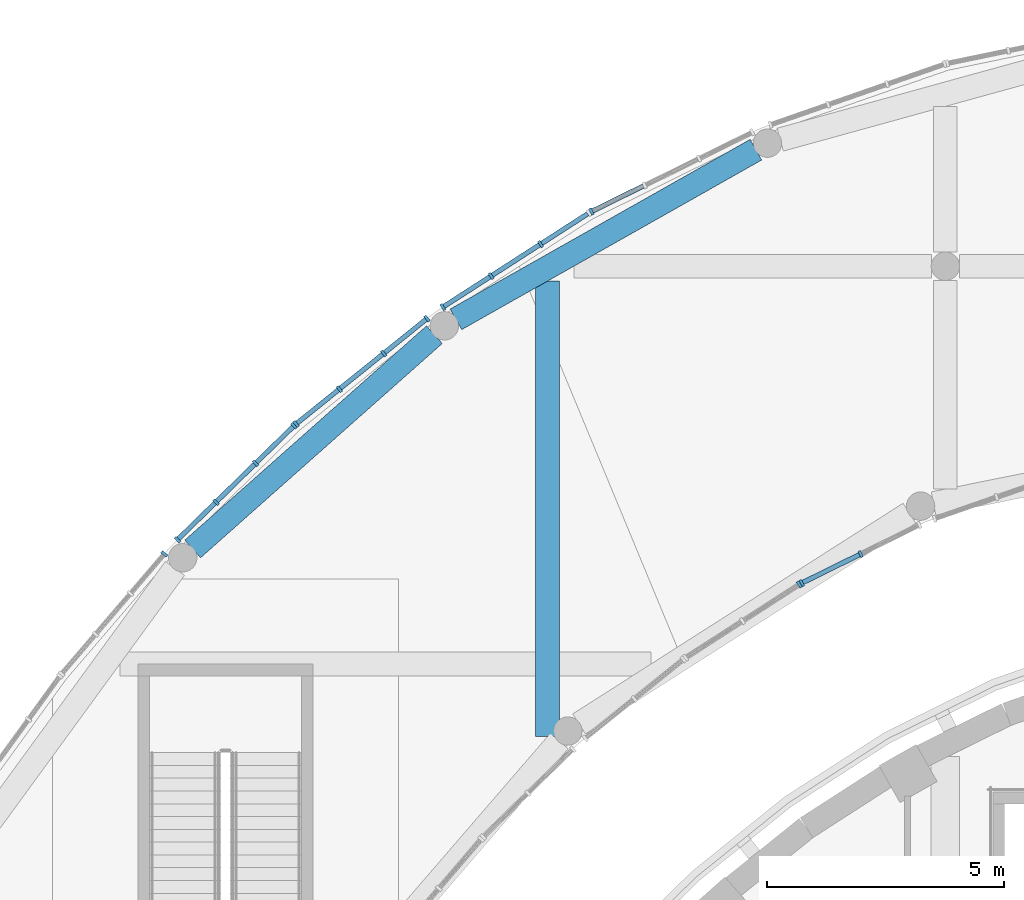
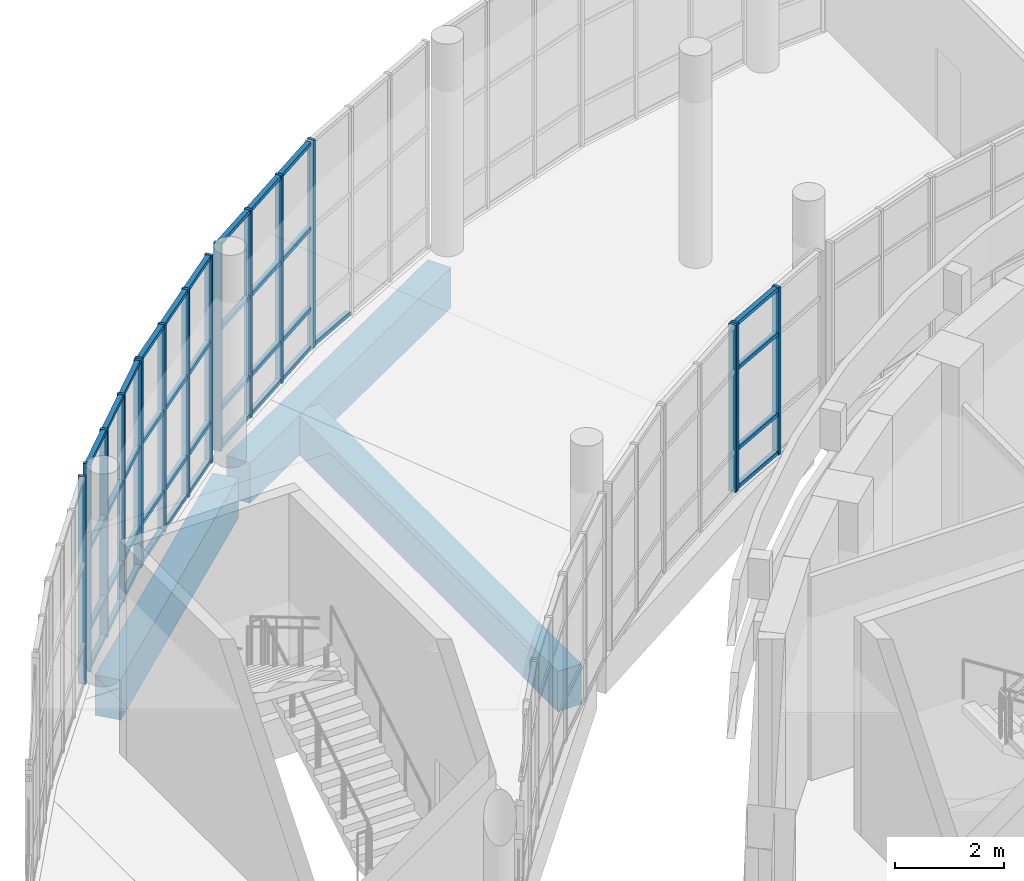
# One storey, part 26 of 119: 57 members, 3 beams, 7 elements without a shape of their own.
"""IFC4 building model written with IfcOpenShell, lengths in metres."""

from ifc_helpers import new_model, si_unit, direction, frame, origin, origin_2d, place, context, subcontext, project, spatial, rectangle, extrude, material, layer, layer_set, material_profile, profile_set, type_object, element, aggregate, save


model = new_model("IFC4")

# Units and contexts
model_context = context("Model", 3, precision=1e-05, world=origin(), true_north=direction((0.0, 1.0)))
body_context = subcontext(model_context, "Body", "Model", "MODEL_VIEW")
ifc_project = project(units=[si_unit("LENGTHUNIT", "METRE"), si_unit("AREAUNIT", "SQUARE_METRE"), si_unit("VOLUMEUNIT", "CUBIC_METRE"), si_unit("PLANEANGLEUNIT", "RADIAN"), si_unit("MASSUNIT", "GRAM", prefix="KILO")], contexts=[model_context])

# Site, building, storey
site_placement = place(None, origin())
site = spatial("IfcSite", under=ifc_project, at=site_placement, CompositionType="ELEMENT")
building_placement = place(site_placement, origin())
building = spatial("IfcBuilding", under=site, at=building_placement, Name="Larchfold Concert Hall", CompositionType="ELEMENT")
storey_placement = place(building_placement, frame((0.0, 0.0, 4.800048828125)))
storey = spatial("IfcBuildingStorey", under=building, at=storey_placement, Name="L01", CompositionType="ELEMENT", Elevation=4.800048828125)

# Curtain wall, member
ifc_material_1 = material(Name="Anodised graphite aluminium curtain wall", Category="aluminium")
ifc_layer = layer(ifc_material_1, 0.14990234375)
ifc_layer_set = layer_set([ifc_layer], Name="Anodised graphite aluminium curtain wall")
curtain_wall_type = type_object("IfcCurtainWallType", Name="Curtain wall WG", PredefinedType="NOTDEFINED", material=ifc_layer_set)
curtain_wall_1_placement = place(storey_placement, origin())
curtain_wall_1 = element("IfcCurtainWall", 1, at=curtain_wall_1_placement, inside=storey, type_object=curtain_wall_type, Name="Curtain wall CW0161", PredefinedType="NOTDEFINED")
ifc_material_2 = material(Name="Anodised graphite aluminium mullion", Category="aluminium")
ifc_material_profile_1 = material_profile(ifc_material_2, rectangle(XDim=0.14990234375, YDim=0.06005859375, at=origin_2d()))
ifc_profile_set_1 = profile_set([ifc_material_profile_1], Name="Anodised graphite aluminium mullion")
member_type_1 = type_object("IfcMemberType", Name="Aluminium mullion 60x150", PredefinedType="MULLION", material=ifc_profile_set_1)
member_1_placement = place(storey_placement, frame((31.115478515625, 119.881103515625, 0.0), z_axis=(0.0, 0.0, 1.0), x_axis=(-0.541844610619, 0.840478683813, 0.0)))
member_1 = element("IfcMember", 2, at=member_1_placement, type_object=member_type_1, Name="CW0161 mullion 3", PredefinedType="MULLION", context=body_context, shape_type="SweptSolid", body=[
    extrude(rectangle(XDim=0.14990234375, YDim=0.06005859375, at=origin_2d()), origin(), (0.0, 0.0, 1.0), 3.75),
])
aggregate(curtain_wall_1, [member_1])

# Curtain wall, members
curtain_wall_2_placement = place(storey_placement, origin())
curtain_wall_2 = element("IfcCurtainWall", 3, at=curtain_wall_2_placement, inside=storey, type_object=curtain_wall_type, Name="Curtain wall CW0162", PredefinedType="NOTDEFINED")
member_2_placement = place(storey_placement, frame((31.16748046875, 119.91064453125, 0.0), z_axis=(0.0, 0.0, 1.0), x_axis=(-0.442304846598, 0.896864773907, 0.0)))
member_2 = element("IfcMember", 4, at=member_2_placement, type_object=member_type_1, Name="CW0162 mullion 1", PredefinedType="MULLION", context=body_context, shape_type="SweptSolid", body=[
    extrude(rectangle(XDim=0.14990234375, YDim=0.06005859375, at=origin_2d()), origin(), (0.0, 0.0, 1.0), 3.75),
])
member_3_placement = place(storey_placement, frame((32.4091796875, 120.52294921875, 0.0), z_axis=(0.0, 0.0, 1.0), x_axis=(-0.442304846598, 0.896864773907, 0.0)))
member_3 = element("IfcMember", 5, at=member_3_placement, type_object=member_type_1, Name="CW0162 mullion 2", PredefinedType="MULLION", context=body_context, shape_type="SweptSolid", body=[
    extrude(rectangle(XDim=0.14990234375, YDim=0.06005859375, at=origin_2d()), origin(), (0.0, 0.0, 1.0), 3.75),
])

# Curtain wall, member
curtain_wall_3_placement = place(storey_placement, origin())
curtain_wall_3 = element("IfcCurtainWall", 6, at=curtain_wall_3_placement, inside=storey, type_object=curtain_wall_type, Name="Curtain wall CW0180", PredefinedType="NOTDEFINED")
member_4_placement = place(storey_placement, frame((26.724365234375, 127.754150390625, 0.0), z_axis=(0.0, 0.0, 1.0), x_axis=(0.44238339909, -0.896826030069, 0.0)))
member_4 = element("IfcMember", 7, at=member_4_placement, type_object=member_type_1, Name="CW0180 mullion 4", PredefinedType="MULLION", context=body_context, shape_type="SweptSolid", body=[
    extrude(rectangle(XDim=0.14990234375, YDim=0.06005859375, at=origin_2d()), origin(), (0.0, 0.0, 1.0), 4.64990234375),
])

# Curtain wall, members
curtain_wall_4_placement = place(storey_placement, origin())
curtain_wall_4 = element("IfcCurtainWall", 8, at=curtain_wall_4_placement, inside=storey, type_object=curtain_wall_type, Name="Curtain wall CW0181", PredefinedType="NOTDEFINED")
member_5_placement = place(storey_placement, frame((25.652587890625, 127.0673828125, 0.0), z_axis=(0.0, 0.0, 1.0), x_axis=(0.541763002722, -0.840531289651, 0.0)))
member_5 = element("IfcMember", 9, at=member_5_placement, type_object=member_type_1, Name="CW0181 mullion 2", PredefinedType="MULLION", context=body_context, shape_type="SweptSolid", body=[
    extrude(rectangle(XDim=0.14990234375, YDim=0.06005859375, at=origin_2d()), origin(), (0.0, 0.0, 1.0), 4.64990234375),
])
member_6_placement = place(storey_placement, frame((24.607666015625, 126.39404296875, 0.0), z_axis=(0.0, 0.0, 1.0), x_axis=(0.541763002722, -0.840531289651, 0.0)))
member_6 = element("IfcMember", 10, at=member_6_placement, type_object=member_type_1, Name="CW0181 mullion 3", PredefinedType="MULLION", context=body_context, shape_type="SweptSolid", body=[
    extrude(rectangle(XDim=0.14990234375, YDim=0.06005859375, at=origin_2d()), origin(), (0.0, 0.0, 1.0), 4.64990234375),
])
member_7_placement = place(storey_placement, frame((23.587890625, 125.73681640625, 0.0), z_axis=(0.0, 0.0, 1.0), x_axis=(0.541763002722, -0.840531289651, 0.0)))
member_7 = element("IfcMember", 11, at=member_7_placement, type_object=member_type_1, Name="CW0181 mullion 4", PredefinedType="MULLION", context=body_context, shape_type="SweptSolid", body=[
    extrude(rectangle(XDim=0.14990234375, YDim=0.06005859375, at=origin_2d()), origin(), (0.0, 0.0, 1.0), 4.64990234375),
])

curtain_wall_5_placement = place(storey_placement, origin())
curtain_wall_5 = element("IfcCurtainWall", 12, at=curtain_wall_5_placement, inside=storey, type_object=curtain_wall_type, Name="Curtain wall CW0182", PredefinedType="NOTDEFINED")
member_8_placement = place(storey_placement, frame((23.254150390625, 125.49560546875, 0.0), z_axis=(0.0, 0.0, 1.0), x_axis=(0.626986369334, -0.779030225774, 0.0)))
member_8 = element("IfcMember", 13, at=member_8_placement, type_object=member_type_1, Name="CW0182 mullion 1", PredefinedType="MULLION", context=body_context, shape_type="SweptSolid", body=[
    extrude(rectangle(XDim=0.14990234375, YDim=0.06005859375, at=origin_2d()), origin(), (0.0, 0.0, 1.0), 4.64990234375),
])
member_9_placement = place(storey_placement, frame((22.340576171875, 124.76025390625, 0.0), z_axis=(0.0, 0.0, 1.0), x_axis=(0.626986369334, -0.779030225774, 0.0)))
member_9 = element("IfcMember", 14, at=member_9_placement, type_object=member_type_1, Name="CW0182 mullion 2", PredefinedType="MULLION", context=body_context, shape_type="SweptSolid", body=[
    extrude(rectangle(XDim=0.14990234375, YDim=0.06005859375, at=origin_2d()), origin(), (0.0, 0.0, 1.0), 4.64990234375),
])
member_10_placement = place(storey_placement, frame((21.40380859375, 124.00634765625, 0.0), z_axis=(0.0, 0.0, 1.0), x_axis=(0.626986369334, -0.779030225774, 0.0)))
member_10 = element("IfcMember", 15, at=member_10_placement, type_object=member_type_1, Name="CW0182 mullion 3", PredefinedType="MULLION", context=body_context, shape_type="SweptSolid", body=[
    extrude(rectangle(XDim=0.14990234375, YDim=0.06005859375, at=origin_2d()), origin(), (0.0, 0.0, 1.0), 4.64990234375),
])
member_11_placement = place(storey_placement, frame((20.490234375, 123.27099609375, 0.0), z_axis=(0.0, 0.0, 1.0), x_axis=(0.626986369334, -0.779030225774, 0.0)))
member_11 = element("IfcMember", 16, at=member_11_placement, type_object=member_type_1, Name="CW0182 mullion 4", PredefinedType="MULLION", context=body_context, shape_type="SweptSolid", body=[
    extrude(rectangle(XDim=0.14990234375, YDim=0.06005859375, at=origin_2d()), origin(), (0.0, 0.0, 1.0), 4.64990234375),
])

curtain_wall_6_placement = place(storey_placement, origin())
curtain_wall_6 = element("IfcCurtainWall", 17, at=curtain_wall_6_placement, inside=storey, type_object=curtain_wall_type, Name="Curtain wall CW0183", PredefinedType="NOTDEFINED")
member_12_placement = place(storey_placement, frame((20.4453125, 123.231201171875, 0.0), z_axis=(0.0, 0.0, 1.0), x_axis=(0.699178664074, -0.714946988038, 0.0)))
member_12 = element("IfcMember", 18, at=member_12_placement, type_object=member_type_1, Name="CW0183 mullion 1", PredefinedType="MULLION", context=body_context, shape_type="SweptSolid", body=[
    extrude(rectangle(XDim=0.14990234375, YDim=0.06005859375, at=origin_2d()), origin(), (0.0, 0.0, 1.0), 4.64990234375),
])
member_13_placement = place(storey_placement, frame((19.6328125, 122.436767578125, 0.0), z_axis=(0.0, 0.0, 1.0), x_axis=(0.699178664074, -0.714946988038, 0.0)))
member_13 = element("IfcMember", 19, at=member_13_placement, type_object=member_type_1, Name="CW0183 mullion 2", PredefinedType="MULLION", context=body_context, shape_type="SweptSolid", body=[
    extrude(rectangle(XDim=0.14990234375, YDim=0.06005859375, at=origin_2d()), origin(), (0.0, 0.0, 1.0), 4.64990234375),
])
member_14_placement = place(storey_placement, frame((18.799072265625, 121.62109375, 0.0), z_axis=(0.0, 0.0, 1.0), x_axis=(0.699178664074, -0.714946988038, 0.0)))
member_14 = element("IfcMember", 20, at=member_14_placement, type_object=member_type_1, Name="CW0183 mullion 3", PredefinedType="MULLION", context=body_context, shape_type="SweptSolid", body=[
    extrude(rectangle(XDim=0.14990234375, YDim=0.06005859375, at=origin_2d()), origin(), (0.0, 0.0, 1.0), 4.64990234375),
])
member_15_placement = place(storey_placement, frame((17.986572265625, 120.82666015625, 0.0), z_axis=(0.0, 0.0, 1.0), x_axis=(0.699178664074, -0.714946988038, 0.0)))
member_15 = element("IfcMember", 21, at=member_15_placement, type_object=member_type_1, Name="CW0183 mullion 4", PredefinedType="MULLION", context=body_context, shape_type="SweptSolid", body=[
    extrude(rectangle(XDim=0.14990234375, YDim=0.06005859375, at=origin_2d()), origin(), (0.0, 0.0, 1.0), 4.64990234375),
])

# Curtain wall, member
curtain_wall_7_placement = place(storey_placement, origin())
curtain_wall_7 = element("IfcCurtainWall", 22, at=curtain_wall_7_placement, inside=storey, type_object=curtain_wall_type, Name="Curtain wall CW0184", PredefinedType="NOTDEFINED")
member_16_placement = place(storey_placement, frame((17.70556640625, 120.5263671875, 0.0), z_axis=(0.0, 0.0, 1.0), x_axis=(0.759444508199, -0.650572085911, 0.0)))
member_16 = element("IfcMember", 23, at=member_16_placement, type_object=member_type_1, Name="CW0184 mullion 1", PredefinedType="MULLION", context=body_context, shape_type="SweptSolid", body=[
    extrude(rectangle(XDim=0.14990234375, YDim=0.06005859375, at=origin_2d()), origin(), (0.0, 0.0, 1.0), 4.64990234375),
])
aggregate(curtain_wall_7, [member_16])

# Member
ifc_material_3 = material(Name="Anodised graphite aluminium transom", Category="aluminium")
ifc_material_profile_2 = material_profile(ifc_material_3, rectangle(XDim=0.10009765625, YDim=0.080078125, at=origin_2d()))
ifc_profile_set_2 = profile_set([ifc_material_profile_2], Name="Anodised graphite aluminium transom")
member_type_2 = type_object("IfcMemberType", Name="Aluminium transom 80x100", PredefinedType="USERDEFINED", material=ifc_profile_set_2)
member_17_placement = place(storey_placement, frame((31.1943359375, 119.924072265625, 0.0400390625), z_axis=(0.896919943894, 0.44219296042, 0.0), x_axis=(-0.44219296042, 0.896919943894, 0.0)))
member_17 = element("IfcMember", 24, at=member_17_placement, type_object=member_type_2, Name="CW0162 transom 1.1", ObjectType="TRANSOM", PredefinedType="USERDEFINED", context=body_context, shape_type="SweptSolid", body=[
    extrude(rectangle(XDim=0.10009765625, YDim=0.080078125, at=origin_2d()), origin(), (0.0, 0.0, 1.0), 1.324462890625),
])

member_18_placement = place(storey_placement, frame((31.1943359375, 119.924072265625, 0.89990234375), z_axis=(0.896919943894, 0.44219296042, 0.0), x_axis=(-0.44219296042, 0.896919943894, 0.0)))
member_18 = element("IfcMember", 25, at=member_18_placement, type_object=member_type_2, Name="CW0162 transom 1.2", ObjectType="TRANSOM", PredefinedType="USERDEFINED", context=body_context, shape_type="SweptSolid", body=[
    extrude(rectangle(XDim=0.10009765625, YDim=0.080078125, at=origin_2d()), origin(), (0.0, 0.0, 1.0), 1.324462890625),
])

member_19_placement = place(storey_placement, frame((31.1943359375, 119.924072265625, 2.699951171875), z_axis=(0.896919943894, 0.44219296042, 0.0), x_axis=(-0.44219296042, 0.896919943894, 0.0)))
member_19 = element("IfcMember", 26, at=member_19_placement, type_object=member_type_2, Name="CW0162 transom 1.3", ObjectType="TRANSOM", PredefinedType="USERDEFINED", context=body_context, shape_type="SweptSolid", body=[
    extrude(rectangle(XDim=0.10009765625, YDim=0.080078125, at=origin_2d()), origin(), (0.0, 0.0, 1.0), 1.324462890625),
])

member_20_placement = place(storey_placement, frame((31.1943359375, 119.924072265625, 3.7099609375), z_axis=(0.896919943894, 0.44219296042, 0.0), x_axis=(-0.44219296042, 0.896919943894, 0.0)))
member_20 = element("IfcMember", 27, at=member_20_placement, type_object=member_type_2, Name="CW0162 transom 1.4", ObjectType="TRANSOM", PredefinedType="USERDEFINED", context=body_context, shape_type="SweptSolid", body=[
    extrude(rectangle(XDim=0.10009765625, YDim=0.080078125, at=origin_2d()), origin(), (0.0, 0.0, 1.0), 1.324462890625),
])

aggregate(curtain_wall_2, [member_2, member_3, member_17, member_18, member_19, member_20])

member_21_placement = place(storey_placement, frame((27.820556640625, 128.294921875, 0.0400390625), z_axis=(-0.896870870578, -0.44229248412, 0.0), x_axis=(0.44229248412, -0.896870870578, 0.0)))
member_21 = element("IfcMember", 28, at=member_21_placement, type_object=member_type_2, Name="CW0180 transom 3.1", ObjectType="TRANSOM", PredefinedType="USERDEFINED", context=body_context, shape_type="SweptSolid", body=[
    extrude(rectangle(XDim=0.10009765625, YDim=0.080078125, at=origin_2d()), origin(), (0.0, 0.0, 1.0), 1.1923828125),
])

aggregate(curtain_wall_3, [member_4, member_21])

member_22_placement = place(storey_placement, frame((26.64697265625, 127.70849609375, 0.0400390625), z_axis=(-0.840517473761, -0.541784437117, 0.0), x_axis=(0.541784437117, -0.840517473761, 0.0)))
member_22 = element("IfcMember", 29, at=member_22_placement, type_object=member_type_2, Name="CW0181 transom 1.1", ObjectType="TRANSOM", PredefinedType="USERDEFINED", context=body_context, shape_type="SweptSolid", body=[
    extrude(rectangle(XDim=0.10009765625, YDim=0.080078125, at=origin_2d()), origin(), (0.0, 0.0, 1.0), 1.153076171875),
])

member_23_placement = place(storey_placement, frame((26.64697265625, 127.70849609375, 0.89990234375), z_axis=(-0.840517473761, -0.541784437117, 0.0), x_axis=(0.541784437117, -0.840517473761, 0.0)))
member_23 = element("IfcMember", 30, at=member_23_placement, type_object=member_type_2, Name="CW0181 transom 1.2", ObjectType="TRANSOM", PredefinedType="USERDEFINED", context=body_context, shape_type="SweptSolid", body=[
    extrude(rectangle(XDim=0.10009765625, YDim=0.080078125, at=origin_2d()), origin(), (0.0, 0.0, 1.0), 1.153076171875),
])

member_24_placement = place(storey_placement, frame((26.64697265625, 127.70849609375, 2.699951171875), z_axis=(-0.840517473761, -0.541784437117, 0.0), x_axis=(0.541784437117, -0.840517473761, 0.0)))
member_24 = element("IfcMember", 31, at=member_24_placement, type_object=member_type_2, Name="CW0181 transom 1.3", ObjectType="TRANSOM", PredefinedType="USERDEFINED", context=body_context, shape_type="SweptSolid", body=[
    extrude(rectangle(XDim=0.10009765625, YDim=0.080078125, at=origin_2d()), origin(), (0.0, 0.0, 1.0), 1.153076171875),
])

member_25_placement = place(storey_placement, frame((26.64697265625, 127.70849609375, 4.60986328125), z_axis=(-0.840517473761, -0.541784437117, 0.0), x_axis=(0.541784437117, -0.840517473761, 0.0)))
member_25 = element("IfcMember", 32, at=member_25_placement, type_object=member_type_2, Name="CW0181 transom 1.4", ObjectType="TRANSOM", PredefinedType="USERDEFINED", context=body_context, shape_type="SweptSolid", body=[
    extrude(rectangle(XDim=0.10009765625, YDim=0.080078125, at=origin_2d()), origin(), (0.0, 0.0, 1.0), 1.153076171875),
])

member_26_placement = place(storey_placement, frame((25.62744140625, 127.05126953125, 0.0400390625), z_axis=(-0.840520928864, -0.541779076877, 0.0), x_axis=(0.541779076877, -0.840520928864, 0.0)))
member_26 = element("IfcMember", 33, at=member_26_placement, type_object=member_type_2, Name="CW0181 transom 2.1", ObjectType="TRANSOM", PredefinedType="USERDEFINED", context=body_context, shape_type="SweptSolid", body=[
    extrude(rectangle(XDim=0.10009765625, YDim=0.080078125, at=origin_2d()), origin(), (0.0, 0.0, 1.0), 1.183349609375),
])

member_27_placement = place(storey_placement, frame((25.62744140625, 127.05126953125, 0.89990234375), z_axis=(-0.840520928864, -0.541779076877, 0.0), x_axis=(0.541779076877, -0.840520928864, 0.0)))
member_27 = element("IfcMember", 34, at=member_27_placement, type_object=member_type_2, Name="CW0181 transom 2.2", ObjectType="TRANSOM", PredefinedType="USERDEFINED", context=body_context, shape_type="SweptSolid", body=[
    extrude(rectangle(XDim=0.10009765625, YDim=0.080078125, at=origin_2d()), origin(), (0.0, 0.0, 1.0), 1.183349609375),
])

member_28_placement = place(storey_placement, frame((25.62744140625, 127.05126953125, 2.699951171875), z_axis=(-0.840520928864, -0.541779076877, 0.0), x_axis=(0.541779076877, -0.840520928864, 0.0)))
member_28 = element("IfcMember", 35, at=member_28_placement, type_object=member_type_2, Name="CW0181 transom 2.3", ObjectType="TRANSOM", PredefinedType="USERDEFINED", context=body_context, shape_type="SweptSolid", body=[
    extrude(rectangle(XDim=0.10009765625, YDim=0.080078125, at=origin_2d()), origin(), (0.0, 0.0, 1.0), 1.183349609375),
])

member_29_placement = place(storey_placement, frame((25.62744140625, 127.05126953125, 4.60986328125), z_axis=(-0.840520928864, -0.541779076877, 0.0), x_axis=(0.541779076877, -0.840520928864, 0.0)))
member_29 = element("IfcMember", 36, at=member_29_placement, type_object=member_type_2, Name="CW0181 transom 2.4", ObjectType="TRANSOM", PredefinedType="USERDEFINED", context=body_context, shape_type="SweptSolid", body=[
    extrude(rectangle(XDim=0.10009765625, YDim=0.080078125, at=origin_2d()), origin(), (0.0, 0.0, 1.0), 1.183349609375),
])

member_30_placement = place(storey_placement, frame((24.58251953125, 126.377685546875, 0.0400390625), z_axis=(-0.840517473761, -0.541784437117, 0.0), x_axis=(0.541784437117, -0.840517473761, 0.0)))
member_30 = element("IfcMember", 37, at=member_30_placement, type_object=member_type_2, Name="CW0181 transom 3.1", ObjectType="TRANSOM", PredefinedType="USERDEFINED", context=body_context, shape_type="SweptSolid", body=[
    extrude(rectangle(XDim=0.10009765625, YDim=0.080078125, at=origin_2d()), origin(), (0.0, 0.0, 1.0), 1.153076171875),
])

member_31_placement = place(storey_placement, frame((24.58251953125, 126.377685546875, 0.89990234375), z_axis=(-0.840517473761, -0.541784437117, 0.0), x_axis=(0.541784437117, -0.840517473761, 0.0)))
member_31 = element("IfcMember", 38, at=member_31_placement, type_object=member_type_2, Name="CW0181 transom 3.2", ObjectType="TRANSOM", PredefinedType="USERDEFINED", context=body_context, shape_type="SweptSolid", body=[
    extrude(rectangle(XDim=0.10009765625, YDim=0.080078125, at=origin_2d()), origin(), (0.0, 0.0, 1.0), 1.153076171875),
])

member_32_placement = place(storey_placement, frame((24.58251953125, 126.377685546875, 2.699951171875), z_axis=(-0.840517473761, -0.541784437117, 0.0), x_axis=(0.541784437117, -0.840517473761, 0.0)))
member_32 = element("IfcMember", 39, at=member_32_placement, type_object=member_type_2, Name="CW0181 transom 3.3", ObjectType="TRANSOM", PredefinedType="USERDEFINED", context=body_context, shape_type="SweptSolid", body=[
    extrude(rectangle(XDim=0.10009765625, YDim=0.080078125, at=origin_2d()), origin(), (0.0, 0.0, 1.0), 1.153076171875),
])

member_33_placement = place(storey_placement, frame((24.58251953125, 126.377685546875, 4.60986328125), z_axis=(-0.840517473761, -0.541784437117, 0.0), x_axis=(0.541784437117, -0.840517473761, 0.0)))
member_33 = element("IfcMember", 40, at=member_33_placement, type_object=member_type_2, Name="CW0181 transom 3.4", ObjectType="TRANSOM", PredefinedType="USERDEFINED", context=body_context, shape_type="SweptSolid", body=[
    extrude(rectangle(XDim=0.10009765625, YDim=0.080078125, at=origin_2d()), origin(), (0.0, 0.0, 1.0), 1.153076171875),
])

aggregate(curtain_wall_4, [member_5, member_6, member_7, member_22, member_23, member_24, member_25, member_26, member_27, member_28, member_29, member_30, member_31, member_32, member_33])

member_34_placement = place(storey_placement, frame((23.23095703125, 125.476806640625, 0.0400390625), z_axis=(-0.779024752962, -0.626993169239, 0.0), x_axis=(0.626993169239, -0.779024752962, 0.0)))
member_34 = element("IfcMember", 41, at=member_34_placement, type_object=member_type_2, Name="CW0182 transom 1.1", ObjectType="TRANSOM", PredefinedType="USERDEFINED", context=body_context, shape_type="SweptSolid", body=[
    extrude(rectangle(XDim=0.10009765625, YDim=0.080078125, at=origin_2d()), origin(), (0.0, 0.0, 1.0), 1.11279296875),
])

member_35_placement = place(storey_placement, frame((23.23095703125, 125.476806640625, 0.89990234375), z_axis=(-0.779024752962, -0.626993169239, 0.0), x_axis=(0.626993169239, -0.779024752962, 0.0)))
member_35 = element("IfcMember", 42, at=member_35_placement, type_object=member_type_2, Name="CW0182 transom 1.2", ObjectType="TRANSOM", PredefinedType="USERDEFINED", context=body_context, shape_type="SweptSolid", body=[
    extrude(rectangle(XDim=0.10009765625, YDim=0.080078125, at=origin_2d()), origin(), (0.0, 0.0, 1.0), 1.11279296875),
])

member_36_placement = place(storey_placement, frame((23.23095703125, 125.476806640625, 2.699951171875), z_axis=(-0.779024752962, -0.626993169239, 0.0), x_axis=(0.626993169239, -0.779024752962, 0.0)))
member_36 = element("IfcMember", 43, at=member_36_placement, type_object=member_type_2, Name="CW0182 transom 1.3", ObjectType="TRANSOM", PredefinedType="USERDEFINED", context=body_context, shape_type="SweptSolid", body=[
    extrude(rectangle(XDim=0.10009765625, YDim=0.080078125, at=origin_2d()), origin(), (0.0, 0.0, 1.0), 1.11279296875),
])

member_37_placement = place(storey_placement, frame((23.23095703125, 125.476806640625, 4.60986328125), z_axis=(-0.779024752962, -0.626993169239, 0.0), x_axis=(0.626993169239, -0.779024752962, 0.0)))
member_37 = element("IfcMember", 44, at=member_37_placement, type_object=member_type_2, Name="CW0182 transom 1.4", ObjectType="TRANSOM", PredefinedType="USERDEFINED", context=body_context, shape_type="SweptSolid", body=[
    extrude(rectangle(XDim=0.10009765625, YDim=0.080078125, at=origin_2d()), origin(), (0.0, 0.0, 1.0), 1.11279296875),
])

member_38_placement = place(storey_placement, frame((22.3173828125, 124.741455078125, 0.0400390625), z_axis=(-0.779156741253, -0.626829141441, 0.0), x_axis=(0.626829141441, -0.779156741253, 0.0)))
member_38 = element("IfcMember", 45, at=member_38_placement, type_object=member_type_2, Name="CW0182 transom 2.1", ObjectType="TRANSOM", PredefinedType="USERDEFINED", context=body_context, shape_type="SweptSolid", body=[
    extrude(rectangle(XDim=0.10009765625, YDim=0.080078125, at=origin_2d()), origin(), (0.0, 0.0, 1.0), 1.142822265625),
])

member_39_placement = place(storey_placement, frame((22.3173828125, 124.741455078125, 0.89990234375), z_axis=(-0.779156741253, -0.626829141441, 0.0), x_axis=(0.626829141441, -0.779156741253, 0.0)))
member_39 = element("IfcMember", 46, at=member_39_placement, type_object=member_type_2, Name="CW0182 transom 2.2", ObjectType="TRANSOM", PredefinedType="USERDEFINED", context=body_context, shape_type="SweptSolid", body=[
    extrude(rectangle(XDim=0.10009765625, YDim=0.080078125, at=origin_2d()), origin(), (0.0, 0.0, 1.0), 1.142822265625),
])

member_40_placement = place(storey_placement, frame((22.3173828125, 124.741455078125, 2.699951171875), z_axis=(-0.779156741253, -0.626829141441, 0.0), x_axis=(0.626829141441, -0.779156741253, 0.0)))
member_40 = element("IfcMember", 47, at=member_40_placement, type_object=member_type_2, Name="CW0182 transom 2.3", ObjectType="TRANSOM", PredefinedType="USERDEFINED", context=body_context, shape_type="SweptSolid", body=[
    extrude(rectangle(XDim=0.10009765625, YDim=0.080078125, at=origin_2d()), origin(), (0.0, 0.0, 1.0), 1.142822265625),
])

member_41_placement = place(storey_placement, frame((22.3173828125, 124.741455078125, 4.60986328125), z_axis=(-0.779156741253, -0.626829141441, 0.0), x_axis=(0.626829141441, -0.779156741253, 0.0)))
member_41 = element("IfcMember", 48, at=member_41_placement, type_object=member_type_2, Name="CW0182 transom 2.4", ObjectType="TRANSOM", PredefinedType="USERDEFINED", context=body_context, shape_type="SweptSolid", body=[
    extrude(rectangle(XDim=0.10009765625, YDim=0.080078125, at=origin_2d()), origin(), (0.0, 0.0, 1.0), 1.142822265625),
])

member_42_placement = place(storey_placement, frame((21.38037109375, 123.987548828125, 0.0400390625), z_axis=(-0.779024752962, -0.626993169239, 0.0), x_axis=(0.626993169239, -0.779024752962, 0.0)))
member_42 = element("IfcMember", 49, at=member_42_placement, type_object=member_type_2, Name="CW0182 transom 3.1", ObjectType="TRANSOM", PredefinedType="USERDEFINED", context=body_context, shape_type="SweptSolid", body=[
    extrude(rectangle(XDim=0.10009765625, YDim=0.080078125, at=origin_2d()), origin(), (0.0, 0.0, 1.0), 1.11279296875),
])

member_43_placement = place(storey_placement, frame((21.38037109375, 123.987548828125, 0.89990234375), z_axis=(-0.779024752962, -0.626993169239, 0.0), x_axis=(0.626993169239, -0.779024752962, 0.0)))
member_43 = element("IfcMember", 50, at=member_43_placement, type_object=member_type_2, Name="CW0182 transom 3.2", ObjectType="TRANSOM", PredefinedType="USERDEFINED", context=body_context, shape_type="SweptSolid", body=[
    extrude(rectangle(XDim=0.10009765625, YDim=0.080078125, at=origin_2d()), origin(), (0.0, 0.0, 1.0), 1.11279296875),
])

member_44_placement = place(storey_placement, frame((21.38037109375, 123.987548828125, 2.699951171875), z_axis=(-0.779024752962, -0.626993169239, 0.0), x_axis=(0.626993169239, -0.779024752962, 0.0)))
member_44 = element("IfcMember", 51, at=member_44_placement, type_object=member_type_2, Name="CW0182 transom 3.3", ObjectType="TRANSOM", PredefinedType="USERDEFINED", context=body_context, shape_type="SweptSolid", body=[
    extrude(rectangle(XDim=0.10009765625, YDim=0.080078125, at=origin_2d()), origin(), (0.0, 0.0, 1.0), 1.11279296875),
])

member_45_placement = place(storey_placement, frame((21.38037109375, 123.987548828125, 4.60986328125), z_axis=(-0.779024752962, -0.626993169239, 0.0), x_axis=(0.626993169239, -0.779024752962, 0.0)))
member_45 = element("IfcMember", 52, at=member_45_placement, type_object=member_type_2, Name="CW0182 transom 3.4", ObjectType="TRANSOM", PredefinedType="USERDEFINED", context=body_context, shape_type="SweptSolid", body=[
    extrude(rectangle(XDim=0.10009765625, YDim=0.080078125, at=origin_2d()), origin(), (0.0, 0.0, 1.0), 1.11279296875),
])

aggregate(curtain_wall_5, [member_8, member_9, member_10, member_11, member_34, member_35, member_36, member_37, member_38, member_39, member_40, member_41, member_42, member_43, member_44, member_45])

member_46_placement = place(storey_placement, frame((20.423828125, 123.210205078125, 0.0400390625), z_axis=(-0.715001629364, -0.699122786073, 0.0), x_axis=(0.699122786073, -0.715001629364, 0.0)))
member_46 = element("IfcMember", 53, at=member_46_placement, type_object=member_type_2, Name="CW0183 transom 1.1", ObjectType="TRANSOM", PredefinedType="USERDEFINED", context=body_context, shape_type="SweptSolid", body=[
    extrude(rectangle(XDim=0.10009765625, YDim=0.080078125, at=origin_2d()), origin(), (0.0, 0.0, 1.0), 1.076171875),
])

member_47_placement = place(storey_placement, frame((20.423828125, 123.210205078125, 0.89990234375), z_axis=(-0.715001629364, -0.699122786073, 0.0), x_axis=(0.699122786073, -0.715001629364, 0.0)))
member_47 = element("IfcMember", 54, at=member_47_placement, type_object=member_type_2, Name="CW0183 transom 1.2", ObjectType="TRANSOM", PredefinedType="USERDEFINED", context=body_context, shape_type="SweptSolid", body=[
    extrude(rectangle(XDim=0.10009765625, YDim=0.080078125, at=origin_2d()), origin(), (0.0, 0.0, 1.0), 1.076171875),
])

member_48_placement = place(storey_placement, frame((20.423828125, 123.210205078125, 2.699951171875), z_axis=(-0.715001629364, -0.699122786073, 0.0), x_axis=(0.699122786073, -0.715001629364, 0.0)))
member_48 = element("IfcMember", 55, at=member_48_placement, type_object=member_type_2, Name="CW0183 transom 1.3", ObjectType="TRANSOM", PredefinedType="USERDEFINED", context=body_context, shape_type="SweptSolid", body=[
    extrude(rectangle(XDim=0.10009765625, YDim=0.080078125, at=origin_2d()), origin(), (0.0, 0.0, 1.0), 1.076171875),
])

member_49_placement = place(storey_placement, frame((20.423828125, 123.210205078125, 4.60986328125), z_axis=(-0.715001629364, -0.699122786073, 0.0), x_axis=(0.699122786073, -0.715001629364, 0.0)))
member_49 = element("IfcMember", 56, at=member_49_placement, type_object=member_type_2, Name="CW0183 transom 1.4", ObjectType="TRANSOM", PredefinedType="USERDEFINED", context=body_context, shape_type="SweptSolid", body=[
    extrude(rectangle(XDim=0.10009765625, YDim=0.080078125, at=origin_2d()), origin(), (0.0, 0.0, 1.0), 1.076171875),
])

member_50_placement = place(storey_placement, frame((19.611328125, 122.415771484375, 0.0400390625), z_axis=(-0.714788459478, -0.699340731116, 0.0), x_axis=(0.699340731116, -0.714788459478, 0.0)))
member_50 = element("IfcMember", 57, at=member_50_placement, type_object=member_type_2, Name="CW0183 transom 2.1", ObjectType="TRANSOM", PredefinedType="USERDEFINED", context=body_context, shape_type="SweptSolid", body=[
    extrude(rectangle(XDim=0.10009765625, YDim=0.080078125, at=origin_2d()), origin(), (0.0, 0.0, 1.0), 1.106201171875),
])

member_51_placement = place(storey_placement, frame((19.611328125, 122.415771484375, 0.89990234375), z_axis=(-0.714788459478, -0.699340731116, 0.0), x_axis=(0.699340731116, -0.714788459478, 0.0)))
member_51 = element("IfcMember", 58, at=member_51_placement, type_object=member_type_2, Name="CW0183 transom 2.2", ObjectType="TRANSOM", PredefinedType="USERDEFINED", context=body_context, shape_type="SweptSolid", body=[
    extrude(rectangle(XDim=0.10009765625, YDim=0.080078125, at=origin_2d()), origin(), (0.0, 0.0, 1.0), 1.106201171875),
])

member_52_placement = place(storey_placement, frame((19.611328125, 122.415771484375, 2.699951171875), z_axis=(-0.714788459478, -0.699340731116, 0.0), x_axis=(0.699340731116, -0.714788459478, 0.0)))
member_52 = element("IfcMember", 59, at=member_52_placement, type_object=member_type_2, Name="CW0183 transom 2.3", ObjectType="TRANSOM", PredefinedType="USERDEFINED", context=body_context, shape_type="SweptSolid", body=[
    extrude(rectangle(XDim=0.10009765625, YDim=0.080078125, at=origin_2d()), origin(), (0.0, 0.0, 1.0), 1.106201171875),
])

member_53_placement = place(storey_placement, frame((19.611328125, 122.415771484375, 4.60986328125), z_axis=(-0.714788459478, -0.699340731116, 0.0), x_axis=(0.699340731116, -0.714788459478, 0.0)))
member_53 = element("IfcMember", 60, at=member_53_placement, type_object=member_type_2, Name="CW0183 transom 2.4", ObjectType="TRANSOM", PredefinedType="USERDEFINED", context=body_context, shape_type="SweptSolid", body=[
    extrude(rectangle(XDim=0.10009765625, YDim=0.080078125, at=origin_2d()), origin(), (0.0, 0.0, 1.0), 1.106201171875),
])

member_54_placement = place(storey_placement, frame((18.777587890625, 121.60009765625, 0.0400390625), z_axis=(-0.715001629364, -0.699122786073, 0.0), x_axis=(0.699122786073, -0.715001629364, 0.0)))
member_54 = element("IfcMember", 61, at=member_54_placement, type_object=member_type_2, Name="CW0183 transom 3.1", ObjectType="TRANSOM", PredefinedType="USERDEFINED", context=body_context, shape_type="SweptSolid", body=[
    extrude(rectangle(XDim=0.10009765625, YDim=0.080078125, at=origin_2d()), origin(), (0.0, 0.0, 1.0), 1.076171875),
])

member_55_placement = place(storey_placement, frame((18.777587890625, 121.60009765625, 0.89990234375), z_axis=(-0.715001629364, -0.699122786073, 0.0), x_axis=(0.699122786073, -0.715001629364, 0.0)))
member_55 = element("IfcMember", 62, at=member_55_placement, type_object=member_type_2, Name="CW0183 transom 3.2", ObjectType="TRANSOM", PredefinedType="USERDEFINED", context=body_context, shape_type="SweptSolid", body=[
    extrude(rectangle(XDim=0.10009765625, YDim=0.080078125, at=origin_2d()), origin(), (0.0, 0.0, 1.0), 1.076171875),
])

member_56_placement = place(storey_placement, frame((18.777587890625, 121.60009765625, 2.699951171875), z_axis=(-0.715001629364, -0.699122786073, 0.0), x_axis=(0.699122786073, -0.715001629364, 0.0)))
member_56 = element("IfcMember", 63, at=member_56_placement, type_object=member_type_2, Name="CW0183 transom 3.3", ObjectType="TRANSOM", PredefinedType="USERDEFINED", context=body_context, shape_type="SweptSolid", body=[
    extrude(rectangle(XDim=0.10009765625, YDim=0.080078125, at=origin_2d()), origin(), (0.0, 0.0, 1.0), 1.076171875),
])

member_57_placement = place(storey_placement, frame((18.777587890625, 121.60009765625, 4.60986328125), z_axis=(-0.715001629364, -0.699122786073, 0.0), x_axis=(0.699122786073, -0.715001629364, 0.0)))
member_57 = element("IfcMember", 64, at=member_57_placement, type_object=member_type_2, Name="CW0183 transom 3.4", ObjectType="TRANSOM", PredefinedType="USERDEFINED", context=body_context, shape_type="SweptSolid", body=[
    extrude(rectangle(XDim=0.10009765625, YDim=0.080078125, at=origin_2d()), origin(), (0.0, 0.0, 1.0), 1.076171875),
])

aggregate(curtain_wall_6, [member_12, member_13, member_14, member_15, member_46, member_47, member_48, member_49, member_50, member_51, member_52, member_53, member_54, member_55, member_56, member_57])

# Beams
ifc_material_4 = material(Name="Concrete C35/45", Category="concrete")
ifc_material_profile_3 = material_profile(ifc_material_4, rectangle(XDim=0.5, YDim=0.89990234375, at=origin_2d()))
ifc_profile_set_3 = profile_set([ifc_material_profile_3], Name="Concrete C35/45")
beam_type = type_object("IfcBeamType", Name="Beam RC 500x900", PredefinedType="BEAM", material=ifc_profile_set_3)
beam_1_placement = place(storey_placement, frame((18.306640625, 120.630615234375, -0.60009765625), z_axis=(0.748346535457, 0.663307969852, 0.0), x_axis=(-0.663307969852, 0.748346535457, 0.0)))
element("IfcBeam", 65, at=beam_1_placement, inside=storey, type_object=beam_type, Name="Beam B1876", PredefinedType="BEAM", context=body_context, shape_type="SweptSolid", body=[
    extrude(rectangle(XDim=0.5, YDim=0.89990234375, at=origin_2d()), origin(), (0.0, 0.0, 1.0), 6.8212890625),
])
beam_2_placement = place(storey_placement, frame((23.86474609375, 125.478759765625, -0.60009765625), z_axis=(0.870492845595, 0.492181070103, 0.0), x_axis=(-0.492181070103, 0.870492845595, 0.0)))
element("IfcBeam", 66, at=beam_2_placement, inside=storey, type_object=beam_type, Name="Beam B1877", PredefinedType="BEAM", context=body_context, shape_type="SweptSolid", body=[
    extrude(rectangle(XDim=0.5, YDim=0.89990234375, at=origin_2d()), origin(), (0.0, 0.0, 1.0), 7.27685546875),
])
beam_3_placement = place(storey_placement, frame((25.800048828125, 116.67138671875, -0.60009765625), z_axis=(0.0, 1.0, 0.0), x_axis=(-1.0, 0.0, 0.0)))
element("IfcBeam", 67, at=beam_3_placement, inside=storey, type_object=beam_type, Name="Beam B1900", PredefinedType="BEAM", context=body_context, shape_type="SweptSolid", body=[
    extrude(rectangle(XDim=0.5, YDim=0.89990234375, at=origin_2d()), origin(), (0.0, 0.0, 1.0), 9.6142578125),
])

save(model, "model.ifc")
